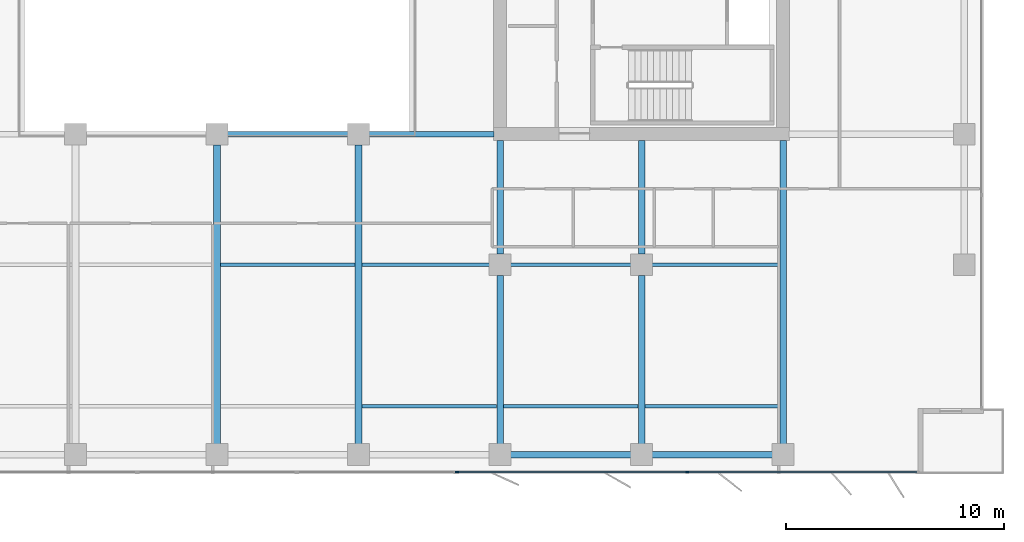
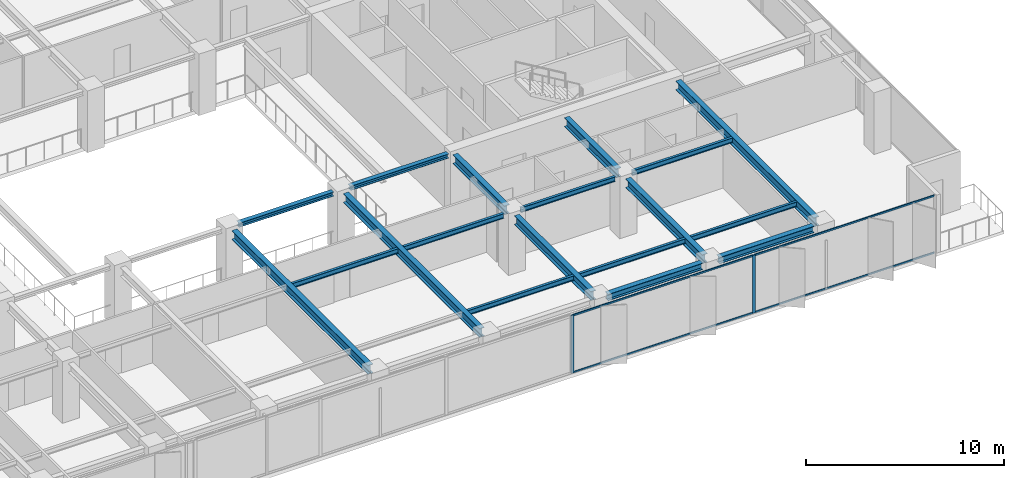
# One storey, part 6 of 22: 18 beams, 6 members, 1 element without a shape of its own.
"""IFC4 building model written with IfcOpenShell, lengths in metres."""

from ifc_helpers import new_model, si_unit, direction, frame, origin, origin_2d, place, context, subcontext, project, spatial, rectangle, i_section, extrude, material, layer, layer_set, material_profile, profile_set, type_object, element, aggregate, save


model = new_model("IFC4")

# Units and contexts
model_context = context("Model", 3, precision=1e-05, world=origin(), true_north=direction((0.0, 1.0)))
body_context = subcontext(model_context, "Body", "Model", "MODEL_VIEW")
ifc_project = project(units=[si_unit("LENGTHUNIT", "METRE"), si_unit("AREAUNIT", "SQUARE_METRE"), si_unit("VOLUMEUNIT", "CUBIC_METRE"), si_unit("PLANEANGLEUNIT", "RADIAN"), si_unit("MASSUNIT", "GRAM", prefix="KILO")], contexts=[model_context])

# Site, building, storey
site_placement = place(None, origin())
site = spatial("IfcSite", under=ifc_project, at=site_placement, CompositionType="ELEMENT")
building_placement = place(site_placement, origin())
building = spatial("IfcBuilding", under=site, at=building_placement, Name="Putna Gate Headquarters", CompositionType="ELEMENT")
storey_placement = place(building_placement, frame((0.0, 0.0, 174.60009765625)))
storey = spatial("IfcBuildingStorey", under=building, at=storey_placement, Name="L43", CompositionType="ELEMENT", Elevation=174.60009765625)

# Beams
ifc_material_1 = material(Name="Steel S355J2", Category="steel")
ifc_material_profile_1 = material_profile(ifc_material_1, i_section(OverallWidth=0.260009765625, OverallDepth=0.260009765625, WebThickness=0.010009765625, FlangeThickness=0.017578125, at=origin_2d()), Name="Steel S355J2")
ifc_profile_set_1 = profile_set([ifc_material_profile_1], Name="Steel S355J2")
beam_type_1 = type_object("IfcBeamType", Name="BM-ATRIUM-HEB260", PredefinedType="BEAM", material=ifc_profile_set_1)
beam_1_placement = place(storey_placement, frame((39.488037109375, 19.0, 3.44189453125), z_axis=(1.0, 0.0, 0.0), x_axis=(0.0, 1.0, 0.0)))
element("IfcBeam", 1, at=beam_1_placement, inside=storey, type_object=beam_type_1, Name="L43 Atrium Edge Beam AS3", PredefinedType="BEAM", context=body_context, shape_type="SweptSolid", body=[
    extrude(i_section(OverallWidth=0.260009765625, OverallDepth=0.260009765625, WebThickness=0.010009765625, FlangeThickness=0.017578125, at=origin_2d()), origin(), (0.0, 0.0, 1.0), 5.52392578125),
])
beam_2_placement = place(storey_placement, frame((45.988037109375, 19.0, 3.44189453125), z_axis=(1.0, 0.0, 0.0), x_axis=(0.0, 1.0, 0.0)))
element("IfcBeam", 2, at=beam_2_placement, inside=storey, type_object=beam_type_1, Name="L43 Atrium Edge Beam AS4", PredefinedType="BEAM", context=body_context, shape_type="SweptSolid", body=[
    extrude(i_section(OverallWidth=0.260009765625, OverallDepth=0.260009765625, WebThickness=0.010009765625, FlangeThickness=0.017578125, at=origin_2d()), origin(), (0.0, 0.0, 1.0), 5.72705078125),
])
ifc_material_profile_2 = material_profile(ifc_material_1, i_section(OverallWidth=0.300048828125, OverallDepth=0.550048828125, WebThickness=0.014892578125, FlangeThickness=0.029052734375, at=origin_2d()), Name="Steel S355J2")
ifc_profile_set_2 = profile_set([ifc_material_profile_2], Name="Steel S355J2")
beam_type_2 = type_object("IfcBeamType", Name="BM-GIRD-Z3-HEB550", PredefinedType="USERDEFINED", material=ifc_profile_set_2)
for number, where, z_axis, x_axis, name in (
    (3, (39.0, 4.76806640625, 3.296875), (0.0, 1.0, 0.0), (-1.0, 0.0, 0.0), "L43 South Primary Girder X39"),
    (4, (45.5, 4.76806640625, 3.296875), (0.0, 1.0, 0.0), (-1.0, 0.0, 0.0), "L43 South Primary Girder X45"),
):
    element("IfcBeam", number, at=place(storey_placement, frame(where, z_axis=z_axis, x_axis=x_axis)), inside=storey, type_object=beam_type_2, Name=name, ObjectType="GIRDER", PredefinedType="USERDEFINED", context=body_context, shape_type="SweptSolid", body=[
        extrude(i_section(OverallWidth=0.300048828125, OverallDepth=0.550048828125, WebThickness=0.014892578125, FlangeThickness=0.029052734375, at=origin_2d()), origin(), (0.0, 0.0, 1.0), 13.743896484375),
    ])
beam_3_placement = place(storey_placement, frame((52.0, 4.76806640625, 3.296875), z_axis=(0.0, 1.0, 0.0), x_axis=(-1.0, 0.0, 0.0)))
element("IfcBeam", 5, at=beam_3_placement, inside=storey, type_object=beam_type_2, Name="L43 South Primary Girder X52-1", ObjectType="GIRDER", PredefinedType="USERDEFINED", context=body_context, shape_type="SweptSolid", body=[
    extrude(i_section(OverallWidth=0.300048828125, OverallDepth=0.550048828125, WebThickness=0.014892578125, FlangeThickness=0.029052734375, at=origin_2d()), origin(), (0.0, 0.0, 1.0), 7.743896484375),
])
beam_4_placement = place(storey_placement, frame((52.0, 13.488037109375, 3.296875), z_axis=(0.0, 1.0, 0.0), x_axis=(-1.0, 0.0, 0.0)))
element("IfcBeam", 6, at=beam_4_placement, inside=storey, type_object=beam_type_2, Name="L43 South Primary Girder X52-2", ObjectType="GIRDER", PredefinedType="USERDEFINED", context=body_context, shape_type="SweptSolid", body=[
    extrude(i_section(OverallWidth=0.300048828125, OverallDepth=0.550048828125, WebThickness=0.014892578125, FlangeThickness=0.029052734375, at=origin_2d()), origin(), (0.0, 0.0, 1.0), 5.22705078125),
])
beam_5_placement = place(storey_placement, frame((58.5, 4.76806640625, 3.296875), z_axis=(0.0, 1.0, 0.0), x_axis=(-1.0, 0.0, 0.0)))
element("IfcBeam", 7, at=beam_5_placement, inside=storey, type_object=beam_type_2, Name="L43 South Primary Girder X58-1", ObjectType="GIRDER", PredefinedType="USERDEFINED", context=body_context, shape_type="SweptSolid", body=[
    extrude(i_section(OverallWidth=0.300048828125, OverallDepth=0.550048828125, WebThickness=0.014892578125, FlangeThickness=0.029052734375, at=origin_2d()), origin(), (0.0, 0.0, 1.0), 7.743896484375),
])
beam_6_placement = place(storey_placement, frame((58.5, 13.488037109375, 3.296875), z_axis=(0.0, 1.0, 0.0), x_axis=(-1.0, 0.0, 0.0)))
element("IfcBeam", 8, at=beam_6_placement, inside=storey, type_object=beam_type_2, Name="L43 South Primary Girder X58-2", ObjectType="GIRDER", PredefinedType="USERDEFINED", context=body_context, shape_type="SweptSolid", body=[
    extrude(i_section(OverallWidth=0.300048828125, OverallDepth=0.550048828125, WebThickness=0.014892578125, FlangeThickness=0.029052734375, at=origin_2d()), origin(), (0.0, 0.0, 1.0), 5.22705078125),
])
beam_7_placement = place(storey_placement, frame((65.0, 4.76806640625, 3.296875), z_axis=(0.0, 1.0, 0.0), x_axis=(-1.0, 0.0, 0.0)))
element("IfcBeam", 9, at=beam_7_placement, inside=storey, type_object=beam_type_2, Name="L43 South Primary Girder X65", ObjectType="GIRDER", PredefinedType="USERDEFINED", context=body_context, shape_type="SweptSolid", body=[
    extrude(i_section(OverallWidth=0.300048828125, OverallDepth=0.550048828125, WebThickness=0.014892578125, FlangeThickness=0.029052734375, at=origin_2d()), origin(), (0.0, 0.0, 1.0), 13.947021484375),
])
ifc_material_profile_3 = material_profile(ifc_material_1, i_section(OverallWidth=0.14990234375, OverallDepth=0.300048828125, WebThickness=0.007080078125, FlangeThickness=0.0107421875, at=origin_2d()), Name="Steel S355J2")
ifc_profile_set_3 = profile_set([ifc_material_profile_3], Name="Steel S355J2")
beam_type_3 = type_object("IfcBeamType", Name="BM-SEC-Z3-IPE300", PredefinedType="JOIST", material=ifc_profile_set_3)
for number, where, z_axis, x_axis, name in (
    (10, (39.154052734375, 13.0, 3.421875), (1.0, 0.0, 0.0), (0.0, 1.0, 0.0), "L43 South Secondary Beam 5"),
    (11, (45.654052734375, 6.5, 3.421875), (1.0, 0.0, 0.0), (0.0, 1.0, 0.0), "L43 South Secondary Beam 6"),
):
    element("IfcBeam", number, at=place(storey_placement, frame(where, z_axis=z_axis, x_axis=x_axis)), inside=storey, type_object=beam_type_3, Name=name, PredefinedType="JOIST", context=body_context, shape_type="SweptSolid", body=[
        extrude(i_section(OverallWidth=0.14990234375, OverallDepth=0.300048828125, WebThickness=0.007080078125, FlangeThickness=0.0107421875, at=origin_2d()), origin(), (0.0, 0.0, 1.0), 6.19189453125),
    ])
beam_8_placement = place(storey_placement, frame((45.654052734375, 13.0, 3.421875), z_axis=(1.0, 0.0, 0.0), x_axis=(0.0, 1.0, 0.0)))
element("IfcBeam", 12, at=beam_8_placement, inside=storey, type_object=beam_type_3, Name="L43 South Secondary Beam 6", PredefinedType="JOIST", context=body_context, shape_type="SweptSolid", body=[
    extrude(i_section(OverallWidth=0.14990234375, OverallDepth=0.300048828125, WebThickness=0.007080078125, FlangeThickness=0.0107421875, at=origin_2d()), origin(), (0.0, 0.0, 1.0), 5.85791015625),
])
beam_9_placement = place(storey_placement, frame((52.154052734375, 6.5, 3.421875), z_axis=(1.0, 0.0, 0.0), x_axis=(0.0, 1.0, 0.0)))
element("IfcBeam", 13, at=beam_9_placement, inside=storey, type_object=beam_type_3, Name="L43 South Secondary Beam 7", PredefinedType="JOIST", context=body_context, shape_type="SweptSolid", body=[
    extrude(i_section(OverallWidth=0.14990234375, OverallDepth=0.300048828125, WebThickness=0.007080078125, FlangeThickness=0.0107421875, at=origin_2d()), origin(), (0.0, 0.0, 1.0), 6.19189453125),
])
beam_10_placement = place(storey_placement, frame((52.488037109375, 13.0, 3.421875), z_axis=(1.0, 0.0, 0.0), x_axis=(0.0, 1.0, 0.0)))
element("IfcBeam", 14, at=beam_10_placement, inside=storey, type_object=beam_type_3, Name="L43 South Secondary Beam 7", PredefinedType="JOIST", context=body_context, shape_type="SweptSolid", body=[
    extrude(i_section(OverallWidth=0.14990234375, OverallDepth=0.300048828125, WebThickness=0.007080078125, FlangeThickness=0.0107421875, at=origin_2d()), origin(), (0.0, 0.0, 1.0), 5.52392578125),
])
beam_11_placement = place(storey_placement, frame((58.654052734375, 6.5, 3.421875), z_axis=(1.0, 0.0, 0.0), x_axis=(0.0, 1.0, 0.0)))
element("IfcBeam", 15, at=beam_11_placement, inside=storey, type_object=beam_type_3, Name="L43 South Secondary Beam 8", PredefinedType="JOIST", context=body_context, shape_type="SweptSolid", body=[
    extrude(i_section(OverallWidth=0.14990234375, OverallDepth=0.300048828125, WebThickness=0.007080078125, FlangeThickness=0.0107421875, at=origin_2d()), origin(), (0.0, 0.0, 1.0), 6.19189453125),
])
beam_12_placement = place(storey_placement, frame((58.988037109375, 13.0, 3.421875), z_axis=(1.0, 0.0, 0.0), x_axis=(0.0, 1.0, 0.0)))
element("IfcBeam", 16, at=beam_12_placement, inside=storey, type_object=beam_type_3, Name="L43 South Secondary Beam 8", PredefinedType="JOIST", context=body_context, shape_type="SweptSolid", body=[
    extrude(i_section(OverallWidth=0.14990234375, OverallDepth=0.300048828125, WebThickness=0.007080078125, FlangeThickness=0.0107421875, at=origin_2d()), origin(), (0.0, 0.0, 1.0), 5.85791015625),
])
ifc_material_profile_4 = material_profile(ifc_material_1, i_section(OverallWidth=0.300048828125, OverallDepth=0.39990234375, WebThickness=0.013427734375, FlangeThickness=0.02392578125, at=origin_2d()), Name="Steel S355J2")
ifc_profile_set_4 = profile_set([ifc_material_profile_4], Name="Steel S355J2")
beam_type_4 = type_object("IfcBeamType", Name="BM-SPAN-Z3-HEB400", PredefinedType="SPANDREL", material=ifc_profile_set_4)
for number, where, z_axis, x_axis, name in (
    (17, (52.488037109375, 4.280029296875, 3.371826171875), (1.0, 0.0, 0.0), (0.0, 1.0, 0.0), "L43 S Perimeter Spandrel 7"),
    (18, (58.988037109375, 4.280029296875, 3.371826171875), (1.0, 0.0, 0.0), (0.0, 1.0, 0.0), "L43 S Perimeter Spandrel 8"),
):
    element("IfcBeam", number, at=place(storey_placement, frame(where, z_axis=z_axis, x_axis=x_axis)), inside=storey, type_object=beam_type_4, Name=name, PredefinedType="SPANDREL", context=body_context, shape_type="SweptSolid", body=[
        extrude(i_section(OverallWidth=0.300048828125, OverallDepth=0.39990234375, WebThickness=0.013427734375, FlangeThickness=0.02392578125, at=origin_2d()), origin(), (0.0, 0.0, 1.0), 5.52392578125),
    ])

# Curtain wall, members
ifc_material_2 = material(Name="Anodised bronze aluminium curtain wall", Category="aluminium")
ifc_layer = layer(ifc_material_2, 0.159912109375)
ifc_layer_set = layer_set([ifc_layer], Name="Anodised bronze aluminium curtain wall")
curtain_wall_type = type_object("IfcCurtainWallType", Name="CW-SYS-Z3", PredefinedType="USERDEFINED", material=ifc_layer_set)
curtain_wall_placement = place(storey_placement, origin())
curtain_wall = element("IfcCurtainWall", 19, at=curtain_wall_placement, inside=storey, type_object=curtain_wall_type, Name="L43 South East Curtain Wall", ObjectType="STICK CURTAIN WALL", PredefinedType="USERDEFINED")
ifc_material_3 = material(Name="Anodised bronze aluminium EN AW-6060", Category="aluminium")
ifc_material_profile_5 = material_profile(ifc_material_3, rectangle(XDim=0.06494140625, YDim=0.159912109375, at=origin_2d()), Name="Anodised bronze aluminium EN AW-6060")
ifc_profile_set_5 = profile_set([ifc_material_profile_5], Name="Anodised bronze aluminium EN AW-6060")
member_type_1 = type_object("IfcMemberType", Name="MULL-CWM-3", PredefinedType="MULLION", material=ifc_profile_set_5)
member_1_placement = place(storey_placement, frame((50.032470703125, 3.47998046875, 0.0), z_axis=(0.0, 0.0, 1.0), x_axis=(0.0, 1.0, 0.0)))
member_1 = element("IfcMember", 20, at=member_1_placement, type_object=member_type_1, Name="CWS-3 mullion 1", PredefinedType="MULLION", context=body_context, shape_type="SweptSolid", body=[
    extrude(rectangle(XDim=0.06494140625, YDim=0.159912109375, at=origin_2d()), origin(), (0.0, 0.0, 1.0), 3.572021484375),
])
member_2_placement = place(storey_placement, frame((60.60009765625, 3.47998046875, 0.0), z_axis=(0.0, 0.0, 1.0), x_axis=(0.0, 1.0, 0.0)))
member_2 = element("IfcMember", 21, at=member_2_placement, type_object=member_type_1, Name="CWS-3 mullion 2", PredefinedType="MULLION", context=body_context, shape_type="SweptSolid", body=[
    extrude(rectangle(XDim=0.06494140625, YDim=0.159912109375, at=origin_2d()), origin(), (0.0, 0.0, 1.0), 3.572021484375),
])
ifc_material_profile_6 = material_profile(ifc_material_3, rectangle(XDim=0.06005859375, YDim=0.10009765625, at=origin_2d()), Name="Anodised bronze aluminium EN AW-6060")
ifc_profile_set_6 = profile_set([ifc_material_profile_6], Name="Anodised bronze aluminium EN AW-6060")
member_type_2 = type_object("IfcMemberType", Name="TRAN-CWT-3", PredefinedType="USERDEFINED", material=ifc_profile_set_6)
member_3_placement = place(storey_placement, frame((50.06494140625, 3.47998046875, 0.02978515625), z_axis=(1.0, 0.0, 0.0), x_axis=(0.0, 1.0, 0.0)))
member_3 = element("IfcMember", 22, at=member_3_placement, type_object=member_type_2, Name="CWS-3 transom 1.1", ObjectType="TRANSOM", PredefinedType="USERDEFINED", context=body_context, shape_type="SweptSolid", body=[
    extrude(rectangle(XDim=0.06005859375, YDim=0.10009765625, at=origin_2d()), origin(), (0.0, 0.0, 1.0), 10.50244140625),
])
member_4_placement = place(storey_placement, frame((50.06494140625, 3.47998046875, 3.5419921875), z_axis=(1.0, 0.0, 0.0), x_axis=(0.0, 1.0, 0.0)))
member_4 = element("IfcMember", 23, at=member_4_placement, type_object=member_type_2, Name="CWS-3 transom 1.2", ObjectType="TRANSOM", PredefinedType="USERDEFINED", context=body_context, shape_type="SweptSolid", body=[
    extrude(rectangle(XDim=0.06005859375, YDim=0.10009765625, at=origin_2d()), origin(), (0.0, 0.0, 1.0), 10.50244140625),
])
member_5_placement = place(storey_placement, frame((60.632568359375, 3.47998046875, 0.02978515625), z_axis=(1.0, 0.0, 0.0), x_axis=(0.0, 1.0, 0.0)))
member_5 = element("IfcMember", 24, at=member_5_placement, type_object=member_type_2, Name="CWS-3 transom 2.1", ObjectType="TRANSOM", PredefinedType="USERDEFINED", context=body_context, shape_type="SweptSolid", body=[
    extrude(rectangle(XDim=0.06005859375, YDim=0.10009765625, at=origin_2d()), origin(), (0.0, 0.0, 1.0), 10.50244140625),
])
member_6_placement = place(storey_placement, frame((60.632568359375, 3.47998046875, 3.5419921875), z_axis=(1.0, 0.0, 0.0), x_axis=(0.0, 1.0, 0.0)))
member_6 = element("IfcMember", 25, at=member_6_placement, type_object=member_type_2, Name="CWS-3 transom 2.2", ObjectType="TRANSOM", PredefinedType="USERDEFINED", context=body_context, shape_type="SweptSolid", body=[
    extrude(rectangle(XDim=0.06005859375, YDim=0.10009765625, at=origin_2d()), origin(), (0.0, 0.0, 1.0), 10.50244140625),
])
aggregate(curtain_wall, [member_1, member_2, member_3, member_4, member_5, member_6])

save(model, "model.ifc")
